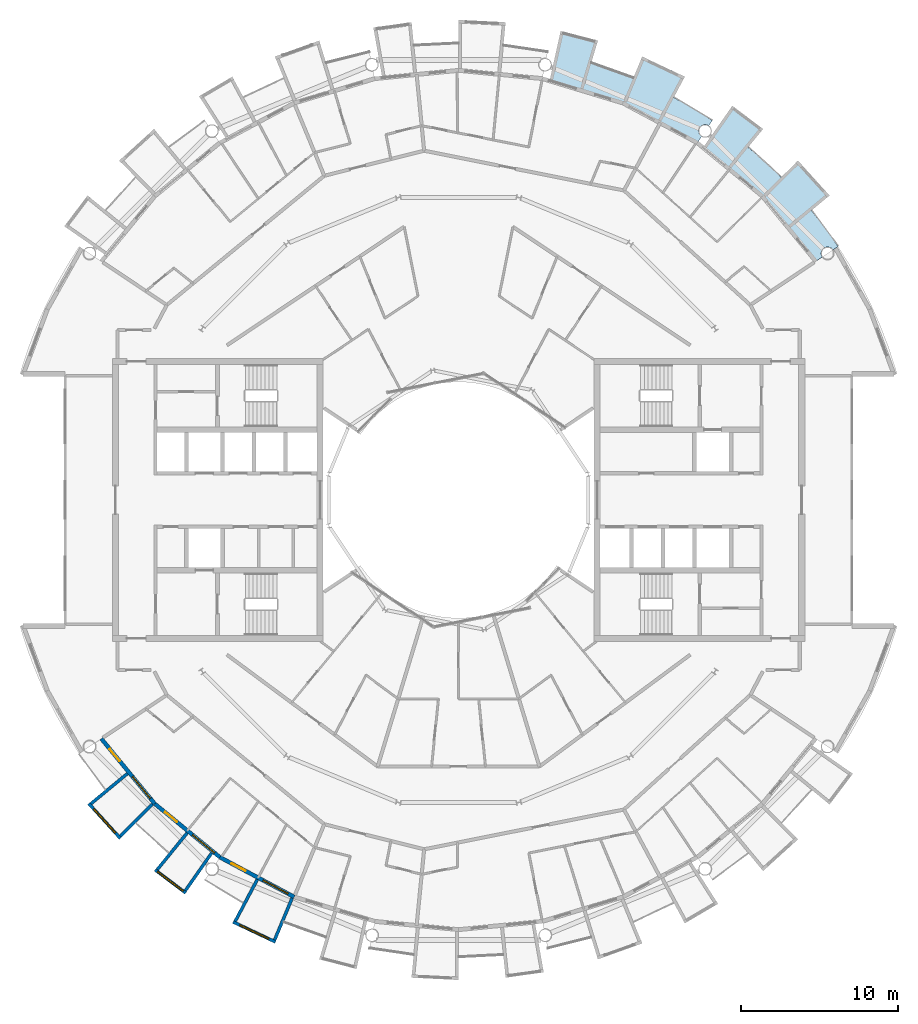
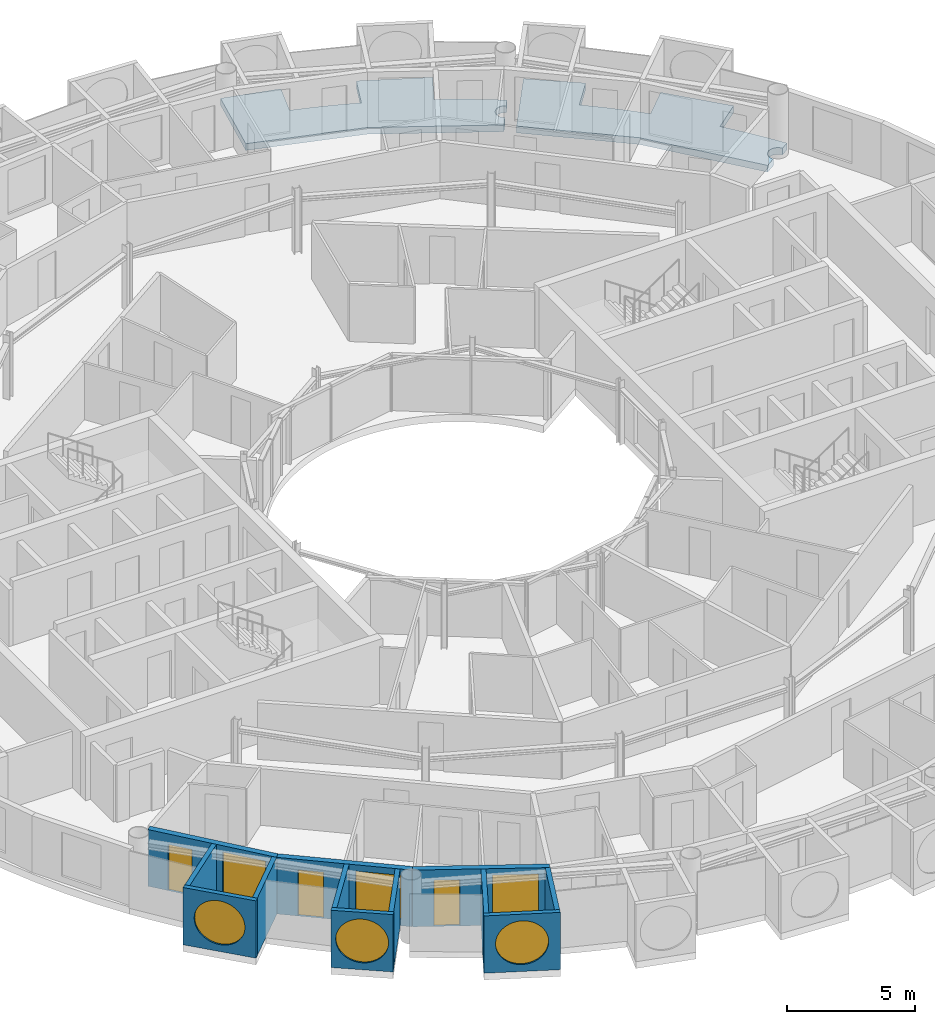
# One storey, part 14 of 28: 12 walls, 6 windows, 3 doors, 2 slabs, 9 openings.
"""IFC4 building model written with IfcOpenShell, lengths in metres."""

from ifc_helpers import new_model, si_unit, direction, frame, frame_2d, origin, place, context, subcontext, project, spatial, polyline, rectangle, circle, outline, extrude, material, layer, layer_set, type_object, element, fill, save


model = new_model("IFC4")

# Units and contexts
model_context = context("Model", 3, precision=1e-05, world=origin(), true_north=direction((0.0, 1.0)))
body_context = subcontext(model_context, "Body", "Model", "MODEL_VIEW")
ifc_project = project(units=[si_unit("LENGTHUNIT", "METRE"), si_unit("AREAUNIT", "SQUARE_METRE"), si_unit("VOLUMEUNIT", "CUBIC_METRE"), si_unit("PLANEANGLEUNIT", "RADIAN"), si_unit("MASSUNIT", "GRAM", prefix="KILO")], contexts=[model_context])

# Site, building, storey
site_placement = place(None, origin())
site = spatial("IfcSite", under=ifc_project, at=site_placement, CompositionType="ELEMENT")
building_placement = place(site_placement, origin())
building = spatial("IfcBuilding", under=site, at=building_placement, Name="Maasbend Ring Residences", CompositionType="ELEMENT")
storey_placement = place(building_placement, frame((0.0, 0.0, 227.949951171875)))
storey = spatial("IfcBuildingStorey", under=building, at=storey_placement, Name="L65", CompositionType="ELEMENT", Elevation=227.949951171875)

# Slabs
ifc_material_1 = material(Name="Concrete C40/50", Category="concrete")
ifc_layer_1 = layer(ifc_material_1, 0.199951171875)
ifc_layer_set_1 = layer_set([ifc_layer_1], Name="Concrete C40/50")
slab_type = type_object("IfcSlabType", Name="SL-LOGGIA", PredefinedType="FLOOR", material=ifc_layer_set_1)
slab_1_placement = place(storey_placement, frame((0.0, 0.0, -0.349853515625)))
element("IfcSlab", 1, at=slab_1_placement, inside=storey, type_object=slab_type, Name="Loggia floor 1", PredefinedType="FLOOR", context=body_context, shape_type="SweptSolid", body=[
    extrude(outline(polyline([(8.85400390625, 29.18701171875), (8.85400390625, 29.18701171875), (8.85400390625, 29.18701171875), (8.41796875, 27.751953125), (8.41796875, 27.751953125), (8.41796875, 27.751953125), (8.41796875, 27.751953125), (8.41796875, 27.751953125), (8.41796875, 27.751953125), (8.41796875, 27.7509765625), (8.41796875, 27.7509765625), (8.41796875, 27.7509765625), (8.41796875, 27.7509765625), (8.41796875, 27.7509765625), (8.4189453125, 27.7509765625), (8.4189453125, 27.7509765625), (8.4189453125, 27.7509765625), (8.4189453125, 27.7509765625), (8.4189453125, 27.7509765625), (8.4189453125, 27.7509765625), (9.322021484375, 27.4609375), (9.322021484375, 27.4609375), (10.215087890625, 27.14111328125), (10.215087890625, 27.14111328125), (11.096923828125, 26.79296875), (11.096923828125, 26.79296875), (11.096923828125, 26.79296875), (11.097900390625, 26.79296875), (11.097900390625, 26.79296875), (11.097900390625, 26.79296875), (11.097900390625, 26.79296875), (11.097900390625, 26.79296875), (11.097900390625, 26.79296875), (11.097900390625, 26.79296875), (11.097900390625, 26.79296875), (11.097900390625, 26.79296875), (11.097900390625, 26.79296875), (11.097900390625, 26.79296875), (11.097900390625, 26.79296875), (11.097900390625, 26.79296875), (11.097900390625, 26.79296875), (11.672119140625, 28.177978515625), (11.672119140625, 28.177978515625), (11.672119140625, 28.177978515625), (14.3779296875, 26.89892578125), (14.3779296875, 26.89892578125), (14.3779296875, 26.89892578125), (13.6708984375, 25.575927734375), (13.6708984375, 25.575927734375), (13.6708984375, 25.575927734375), (13.6708984375, 25.575927734375), (13.6708984375, 25.575927734375), (13.6708984375, 25.575927734375), (13.6708984375, 25.575927734375), (13.6708984375, 25.575927734375), (13.6708984375, 25.575927734375), (13.6708984375, 25.575927734375), (13.6708984375, 25.575927734375), (13.6708984375, 25.575927734375), (13.6708984375, 25.575927734375), (13.6708984375, 25.575927734375), (13.6708984375, 25.575927734375), (13.6708984375, 25.575927734375), (13.6708984375, 25.574951171875), (14.5, 25.114990234375), (14.5, 25.114990234375), (15.31396484375, 24.626953125), (15.31396484375, 24.626953125), (16.112060546875, 24.113037109375), (16.112060546875, 24.113037109375), (16.112060546875, 24.113037109375), (15.89306640625, 23.784912109375), (15.885009765625, 23.791015625), (15.8759765625, 23.7958984375), (15.866943359375, 23.801025390625), (15.85888671875, 23.805908203125), (15.85009765625, 23.81005859375), (15.841064453125, 23.81494140625), (15.83203125, 23.819091796875), (15.822998046875, 23.822998046875), (15.81298828125, 23.826904296875), (15.803955078125, 23.830078125), (15.794921875, 23.8330078125), (15.784912109375, 23.8359375), (15.77587890625, 23.839111328125), (15.76611328125, 23.842041015625), (15.756103515625, 23.843994140625), (15.74609375, 23.845947265625), (15.737060546875, 23.847900390625), (15.72705078125, 23.85009765625), (15.717041015625, 23.85107421875), (15.70703125, 23.85205078125), (15.697021484375, 23.85302734375), (15.68701171875, 23.85302734375), (15.677001953125, 23.85400390625), (15.6669921875, 23.85400390625), (15.656982421875, 23.85400390625), (15.64697265625, 23.85302734375), (15.636962890625, 23.85302734375), (15.626953125, 23.85205078125), (15.616943359375, 23.85107421875), (15.60693359375, 23.85009765625), (15.597900390625, 23.847900390625), (15.587890625, 23.845947265625), (15.577880859375, 23.843994140625), (15.568115234375, 23.842041015625), (15.55908203125, 23.839111328125), (15.549072265625, 23.8359375), (15.5400390625, 23.8330078125), (15.530029296875, 23.830078125), (15.52099609375, 23.826904296875), (15.511962890625, 23.822998046875), (15.501953125, 23.819091796875), (15.492919921875, 23.81494140625), (15.48388671875, 23.81005859375), (15.47509765625, 23.805908203125), (15.467041015625, 23.801025390625), (15.4580078125, 23.7958984375), (15.449951171875, 23.791015625), (15.44091796875, 23.784912109375), (15.43310546875, 23.780029296875), (15.425048828125, 23.77392578125), (15.4169921875, 23.76806640625), (15.408935546875, 23.761962890625), (15.402099609375, 23.7548828125), (15.39404296875, 23.7490234375), (15.386962890625, 23.741943359375), (15.3798828125, 23.735107421875), (15.373046875, 23.72802734375), (15.365966796875, 23.719970703125), (15.35888671875, 23.712890625), (15.35302734375, 23.705078125), (15.346923828125, 23.697021484375), (15.341064453125, 23.68994140625), (15.3349609375, 23.680908203125), (15.3291015625, 23.673095703125), (15.323974609375, 23.6650390625), (15.318115234375, 23.656005859375), (15.31298828125, 23.64794921875), (15.30908203125, 23.638916015625), (15.303955078125, 23.6298828125), (15.300048828125, 23.62109375), (15.294921875, 23.612060546875), (15.2919921875, 23.60302734375), (15.2880859375, 23.593994140625), (15.283935546875, 23.583984375), (15.281005859375, 23.574951171875), (15.278076171875, 23.56494140625), (15.27490234375, 23.555908203125), (15.27294921875, 23.5458984375), (15.27001953125, 23.535888671875), (15.26806640625, 23.527099609375), (15.26708984375, 23.51708984375), (15.264892578125, 23.507080078125), (15.263916015625, 23.4970703125), (15.262939453125, 23.487060546875), (15.261962890625, 23.47705078125), (15.260986328125, 23.467041015625), (15.260986328125, 23.45703125), (15.260986328125, 23.447021484375), (15.260986328125, 23.43701171875), (15.260986328125, 23.427001953125), (15.261962890625, 23.4169921875), (15.262939453125, 23.407958984375), (15.263916015625, 23.39794921875), (15.264892578125, 23.387939453125), (15.26708984375, 23.3779296875), (15.26806640625, 23.367919921875), (15.27001953125, 23.35791015625), (15.27294921875, 23.34912109375), (15.27490234375, 23.339111328125), (15.278076171875, 23.3291015625), (15.281005859375, 23.320068359375), (15.283935546875, 23.31005859375), (15.2880859375, 23.301025390625), (15.2919921875, 23.2919921875), (15.294921875, 23.282958984375), (15.300048828125, 23.27392578125), (15.303955078125, 23.264892578125), (15.30908203125, 23.256103515625), (15.31298828125, 23.2470703125), (15.318115234375, 23.238037109375), (15.323974609375, 23.22998046875), (15.3291015625, 23.221923828125), (15.3349609375, 23.212890625), (15.341064453125, 23.205078125), (15.346923828125, 23.197021484375), (15.35302734375, 23.18994140625), (15.35888671875, 23.181884765625), (15.365966796875, 23.174072265625), (15.373046875, 23.1669921875), (15.3798828125, 23.159912109375), (15.386962890625, 23.153076171875), (15.39404296875, 23.14599609375), (15.402099609375, 23.139892578125), (15.408935546875, 23.133056640625), (15.4169921875, 23.126953125), (15.425048828125, 23.12109375), (15.43310546875, 23.114990234375), (15.44091796875, 23.10888671875), (15.1669921875, 22.698974609375), (15.1669921875, 22.698974609375), (15.1669921875, 22.698974609375), (12.806884765625, 23.9609375), (10.447021484375, 25.221923828125), (10.447021484375, 25.221923828125), (10.447021484375, 25.221923828125), (7.886962890625, 25.9990234375), (5.797119140625, 26.633056640625), (5.797119140625, 26.633056640625), (5.797119140625, 26.633056640625), (6.487060546875, 29.802001953125), (6.487060546875, 29.802001953125), (6.487060546875, 29.802001953125), (8.85400390625, 29.18701171875)])), origin(), (0.0, 0.0, 1.0), 0.31982421875),
])
slab_2_placement = place(storey_placement, frame((0.0, 0.0, -0.349853515625)))
element("IfcSlab", 2, at=slab_2_placement, inside=storey, type_object=slab_type, Name="Loggia floor 4", PredefinedType="FLOOR", context=body_context, shape_type="SweptSolid", body=[
    extrude(outline(polyline([(19.34912109375, 23.576904296875), (19.34912109375, 23.576904296875), (19.34912109375, 23.576904296875), (18.39794921875, 22.41796875), (18.39794921875, 22.41796875), (18.39794921875, 22.41796875), (18.39794921875, 22.41796875), (18.39794921875, 22.41796875), (18.39794921875, 22.4169921875), (18.39794921875, 22.4169921875), (18.39794921875, 22.4169921875), (18.39794921875, 22.4169921875), (18.39794921875, 22.4169921875), (18.39794921875, 22.4169921875), (18.39794921875, 22.4169921875), (18.39794921875, 22.4169921875), (18.39794921875, 22.4169921875), (18.39794921875, 22.4169921875), (18.39794921875, 22.4169921875), (18.39794921875, 22.4169921875), (19.12109375, 21.802978515625), (19.12109375, 21.802978515625), (19.823974609375, 21.166015625), (19.823974609375, 21.166015625), (20.506103515625, 20.506103515625), (20.506103515625, 20.506103515625), (20.506103515625, 20.506103515625), (20.506103515625, 20.506103515625), (20.506103515625, 20.506103515625), (20.506103515625, 20.506103515625), (20.506103515625, 20.506103515625), (20.506103515625, 20.506103515625), (20.506103515625, 20.506103515625), (20.506103515625, 20.506103515625), (20.506103515625, 20.506103515625), (20.506103515625, 20.506103515625), (20.506103515625, 20.506103515625), (20.506103515625, 20.506103515625), (20.506103515625, 20.506103515625), (20.506103515625, 20.506103515625), (20.506103515625, 20.506103515625), (21.56689453125, 21.56689453125), (21.56689453125, 21.56689453125), (21.56689453125, 21.56689453125), (23.576904296875, 19.34912109375), (23.576904296875, 19.34912109375), (23.576904296875, 19.34912109375), (22.41796875, 18.39794921875), (22.41796875, 18.39794921875), (22.41796875, 18.39794921875), (22.41796875, 18.39794921875), (22.41796875, 18.39794921875), (22.41796875, 18.39794921875), (22.41796875, 18.39697265625), (22.41796875, 18.39697265625), (22.41796875, 18.39697265625), (22.41796875, 18.39697265625), (22.41796875, 18.39697265625), (22.41796875, 18.39697265625), (22.41796875, 18.39697265625), (22.41796875, 18.39697265625), (22.41796875, 18.39697265625), (22.41796875, 18.39697265625), (22.41796875, 18.39697265625), (23.007080078125, 17.654052734375), (23.007080078125, 17.654052734375), (23.572998046875, 16.89208984375), (23.572998046875, 16.89208984375), (24.113037109375, 16.112060546875), (24.113037109375, 16.112060546875), (24.113037109375, 16.112060546875), (23.784912109375, 15.89306640625), (23.784912109375, 15.89306640625), (23.780029296875, 15.90087890625), (23.77392578125, 15.908935546875), (23.76806640625, 15.9169921875), (23.761962890625, 15.925048828125), (23.7548828125, 15.93310546875), (23.7490234375, 15.93994140625), (23.741943359375, 15.947021484375), (23.735107421875, 15.955078125), (23.72802734375, 15.9619140625), (23.719970703125, 15.968017578125), (23.712890625, 15.97509765625), (23.705078125, 15.98095703125), (23.697021484375, 15.988037109375), (23.68994140625, 15.993896484375), (23.680908203125, 15.9990234375), (23.673095703125, 16.0048828125), (23.6650390625, 16.010986328125), (23.656005859375, 16.01611328125), (23.64794921875, 16.02099609375), (23.638916015625, 16.02587890625), (23.6298828125, 16.030029296875), (23.62109375, 16.034912109375), (23.612060546875, 16.0390625), (23.60302734375, 16.04296875), (23.593994140625, 16.0458984375), (23.583984375, 16.050048828125), (23.574951171875, 16.052978515625), (23.56494140625, 16.055908203125), (23.555908203125, 16.05908203125), (23.5458984375, 16.06103515625), (23.535888671875, 16.06396484375), (23.527099609375, 16.06591796875), (23.51708984375, 16.068115234375), (23.507080078125, 16.069091796875), (23.4970703125, 16.071044921875), (23.487060546875, 16.072021484375), (23.47705078125, 16.072021484375), (23.467041015625, 16.072998046875), (23.45703125, 16.072998046875), (23.447021484375, 16.073974609375), (23.43701171875, 16.072998046875), (23.427001953125, 16.072998046875), (23.4169921875, 16.072021484375), (23.407958984375, 16.072021484375), (23.39794921875, 16.071044921875), (23.387939453125, 16.069091796875), (23.3779296875, 16.068115234375), (23.367919921875, 16.06591796875), (23.35791015625, 16.06396484375), (23.34912109375, 16.06103515625), (23.339111328125, 16.05908203125), (23.3291015625, 16.055908203125), (23.320068359375, 16.052978515625), (23.31005859375, 16.050048828125), (23.301025390625, 16.0458984375), (23.2919921875, 16.04296875), (23.282958984375, 16.0390625), (23.27392578125, 16.034912109375), (23.264892578125, 16.030029296875), (23.256103515625, 16.02587890625), (23.2470703125, 16.02099609375), (23.238037109375, 16.01611328125), (23.22998046875, 16.010986328125), (23.221923828125, 16.0048828125), (23.212890625, 15.9990234375), (23.205078125, 15.993896484375), (23.197021484375, 15.988037109375), (23.18994140625, 15.98095703125), (23.181884765625, 15.97509765625), (23.174072265625, 15.968017578125), (23.1669921875, 15.9619140625), (23.159912109375, 15.955078125), (23.153076171875, 15.947021484375), (23.14599609375, 15.93994140625), (23.139892578125, 15.93310546875), (23.133056640625, 15.925048828125), (23.126953125, 15.9169921875), (23.12109375, 15.908935546875), (23.114990234375, 15.90087890625), (23.10888671875, 15.89306640625), (23.10400390625, 15.885009765625), (23.09912109375, 15.8759765625), (23.093994140625, 15.866943359375), (23.089111328125, 15.85888671875), (23.083984375, 15.85009765625), (23.080078125, 15.841064453125), (23.075927734375, 15.83203125), (23.072021484375, 15.822998046875), (23.068115234375, 15.81298828125), (23.06494140625, 15.803955078125), (23.06103515625, 15.794921875), (23.05810546875, 15.784912109375), (23.055908203125, 15.77587890625), (23.052978515625, 15.76611328125), (23.051025390625, 15.756103515625), (23.049072265625, 15.74609375), (23.047119140625, 15.737060546875), (23.044921875, 15.72705078125), (23.0439453125, 15.717041015625), (23.04296875, 15.70703125), (23.0419921875, 15.697021484375), (23.041015625, 15.68701171875), (23.041015625, 15.677001953125), (23.041015625, 15.6669921875), (23.041015625, 15.656982421875), (23.041015625, 15.64697265625), (23.0419921875, 15.636962890625), (23.04296875, 15.626953125), (23.0439453125, 15.616943359375), (23.044921875, 15.60693359375), (23.047119140625, 15.597900390625), (23.049072265625, 15.587890625), (23.051025390625, 15.577880859375), (23.052978515625, 15.568115234375), (23.055908203125, 15.55908203125), (23.05810546875, 15.549072265625), (23.06103515625, 15.5400390625), (23.06494140625, 15.530029296875), (23.068115234375, 15.52099609375), (23.072021484375, 15.511962890625), (23.075927734375, 15.501953125), (23.080078125, 15.492919921875), (23.083984375, 15.48388671875), (23.089111328125, 15.47509765625), (23.093994140625, 15.467041015625), (23.09912109375, 15.4580078125), (23.10400390625, 15.449951171875), (23.10888671875, 15.44091796875), (23.10888671875, 15.44091796875), (22.698974609375, 15.1669921875), (22.698974609375, 15.1669921875), (22.698974609375, 15.1669921875), (21.001953125, 17.236083984375), (19.303955078125, 19.303955078125), (19.303955078125, 19.303955078125), (19.303955078125, 19.303955078125), (17.236083984375, 21.001953125), (15.547119140625, 22.386962890625), (15.547119140625, 22.386962890625), (15.547119140625, 22.386962890625), (17.39794921875, 25.051025390625), (17.39794921875, 25.051025390625), (17.39794921875, 25.051025390625), (19.34912109375, 23.576904296875)])), origin(), (0.0, 0.0, 1.0), 0.31982421875),
])

# Wall, opening, window
ifc_material_2 = material(Name="Pale anodised aluminium panel", Category="aluminium")
ifc_layer_2 = layer(ifc_material_2, 0.199951171875)
ifc_layer_set_2 = layer_set([ifc_layer_2], Name="EW-BOX")
wall_type_1 = type_object("IfcWallType", Name="EW-BOX", PredefinedType="SOLIDWALL", material=ifc_layer_set_2)
wall_1_placement = place(storey_placement, frame((-23.5029296875, -19.281982421875, -0.030029296875), z_axis=(0.0, 0.0, 1.0), x_axis=(0.671506829416, -0.740998365753, 0.0)))
wall_1 = element("IfcWall", 3, at=wall_1_placement, inside=storey, type_object=wall_type_1, Name="Box front S02", PredefinedType="SOLIDWALL", context=body_context, shape_type="SweptSolid", body=[
    extrude(rectangle(XDim=2.9931640625, YDim=0.199951171875, at=frame_2d((1.49658203125, 0.0))), origin(), (0.0, 0.0, 1.0), 2.72998046875),
])
opening_1_placement = place(wall_1_placement, frame((0.45654296875, 0.0, 0.330078125)))
opening_1 = element("IfcOpeningElement", 4, at=opening_1_placement, cuts=wall_1, Name="Opening W-RD", PredefinedType="OPENING", context=body_context, shape_type="SweptSolid", body=[
    extrude(circle(Radius=1.0400390625, at=frame_2d((1.0400390625, 1.0400390625))), frame((0.0, 0.10986328125, 0.0), z_axis=(0.0, -1.0, 0.0), x_axis=(1.0, 0.0, 0.0)), (0.0, 0.0, 1.0), 0.219970703125),
])
ifc_material_3 = material(Name="Aluminium and clear glass", Category="aluminium")
window_type_1 = type_object("IfcWindowType", Name="W-RD", PartitioningType="SINGLE_PANEL", PredefinedType="WINDOW", material=ifc_material_3)
window_1_placement = place(opening_1_placement, origin())
window_1 = element("IfcWindow", 5, at=window_1_placement, inside=storey, type_object=window_type_1, Name="Round window S02", OverallHeight=2.080078125, OverallWidth=2.080078125, PartitioningType="SINGLE_PANEL", PredefinedType="WINDOW", context=body_context, shape_type="SweptSolid", body=[
    extrude(circle(Radius=1.0400390625, at=frame_2d((1.0400390625, 1.0400390625))), frame((0.0, 0.030029296875, 0.0), z_axis=(0.0, -1.0, 0.0), x_axis=(1.0, 0.0, 0.0)), (0.0, 0.0, 1.0), 0.06005859375),
])
fill(opening_1, window_1)

# Walls
wall_2_placement = place(storey_placement, frame((-21.041015625, -17.384033203125, -0.030029296875), z_axis=(0.0, 0.0, 1.0), x_axis=(-0.770784861449, -0.63709551667, 0.0)))
element("IfcWall", 6, at=wall_2_placement, inside=storey, type_object=wall_type_1, Name="Box side wall S02 left", PredefinedType="SOLIDWALL", context=body_context, shape_type="SweptSolid", body=[
    extrude(rectangle(XDim=3.005859375, YDim=0.199951171875, at=frame_2d((1.5029296875, 0.0))), origin(), (0.0, 0.0, 1.0), 2.72998046875),
])
wall_3_placement = place(storey_placement, frame((-19.449951171875, -19.322998046875, -0.030029296875), z_axis=(0.0, 0.0, 1.0), x_axis=(-0.709727076896, -0.704476739375, 0.0)))
element("IfcWall", 7, at=wall_3_placement, inside=storey, type_object=wall_type_1, Name="Box side wall S02 right", PredefinedType="SOLIDWALL", context=body_context, shape_type="SweptSolid", body=[
    extrude(rectangle(XDim=2.883056640625, YDim=0.199951171875, at=frame_2d((1.44140625, 0.0))), origin(), (0.0, 0.0, 1.0), 2.72998046875),
])

# Wall, opening, window
wall_4_placement = place(storey_placement, frame((-19.2890625, -23.4970703125, -0.030029296875), z_axis=(0.0, 0.0, 1.0), x_axis=(0.797887588059, -0.602806268067, 0.0)))
wall_4 = element("IfcWall", 8, at=wall_4_placement, inside=storey, type_object=wall_type_1, Name="Box front S04", PredefinedType="SOLIDWALL", context=body_context, shape_type="SweptSolid", body=[
    extrude(rectangle(XDim=2.446533203125, YDim=0.199951171875, at=frame_2d((1.22314453125, 0.0))), origin(), (0.0, 0.0, 1.0), 2.72998046875),
])
opening_2_placement = place(wall_4_placement, frame((0.182861328125, 0.0, 0.330078125)))
opening_2 = element("IfcOpeningElement", 9, at=opening_2_placement, cuts=wall_4, Name="Opening W-RD", PredefinedType="OPENING", context=body_context, shape_type="SweptSolid", body=[
    extrude(circle(Radius=1.0400390625, at=frame_2d((1.0400390625, 1.0400390625))), frame((0.0, 0.10986328125, 0.0), z_axis=(0.0, -1.0, 0.0), x_axis=(1.0, 0.0, 0.0)), (0.0, 0.0, 1.0), 0.219970703125),
])
window_2_placement = place(opening_2_placement, origin())
window_2 = element("IfcWindow", 10, at=window_2_placement, inside=storey, type_object=window_type_1, Name="Round window S04", OverallHeight=2.080078125, OverallWidth=2.080078125, PartitioningType="SINGLE_PANEL", PredefinedType="WINDOW", context=body_context, shape_type="SweptSolid", body=[
    extrude(circle(Radius=1.0400390625, at=frame_2d((1.0400390625, 1.0400390625))), frame((0.0, 0.030029296875, 0.0), z_axis=(0.0, -1.0, 0.0), x_axis=(1.0, 0.0, 0.0)), (0.0, 0.0, 1.0), 0.06005859375),
])
fill(opening_2, window_2)

# Walls
wall_5_placement = place(storey_placement, frame((-17.24609375, -21.155029296875, -0.030029296875), z_axis=(0.0, 0.0, 1.0), x_axis=(-0.631741648902, -0.775179004516, 0.0)))
element("IfcWall", 11, at=wall_5_placement, inside=storey, type_object=wall_type_1, Name="Box side wall S04 left", PredefinedType="SOLIDWALL", context=body_context, shape_type="SweptSolid", body=[
    extrude(rectangle(XDim=3.005859375, YDim=0.199951171875, at=frame_2d((1.5029296875, 0.0))), origin(), (0.0, 0.0, 1.0), 2.72998046875),
])
wall_6_placement = place(storey_placement, frame((-15.68798828125, -22.43310546875, -0.030029296875), z_axis=(0.0, 0.0, 1.0), x_axis=(-0.573260687834, -0.819373043115, 0.0)))
element("IfcWall", 12, at=wall_6_placement, inside=storey, type_object=wall_type_1, Name="Box side wall S04 right", PredefinedType="SOLIDWALL", context=body_context, shape_type="SweptSolid", body=[
    extrude(rectangle(XDim=2.92529296875, YDim=0.199951171875, at=frame_2d((1.462646484375, 0.0))), origin(), (0.0, 0.0, 1.0), 2.72998046875),
])

# Wall, opening, window
wall_7_placement = place(storey_placement, frame((-14.3349609375, -26.80810546875, -0.030029296875), z_axis=(0.0, 0.0, 1.0), x_axis=(0.904000060331, -0.427532327342, 0.0)))
wall_7 = element("IfcWall", 13, at=wall_7_placement, inside=storey, type_object=wall_type_1, Name="Box front S06", PredefinedType="SOLIDWALL", context=body_context, shape_type="SweptSolid", body=[
    extrude(rectangle(XDim=2.993408203125, YDim=0.199951171875, at=frame_2d((1.49658203125, 0.0))), origin(), (0.0, 0.0, 1.0), 2.72998046875),
])
opening_3_placement = place(wall_7_placement, frame((0.45654296875, 0.0, 0.330078125)))
opening_3 = element("IfcOpeningElement", 14, at=opening_3_placement, cuts=wall_7, Name="Opening W-RD", PredefinedType="OPENING", context=body_context, shape_type="SweptSolid", body=[
    extrude(circle(Radius=1.0400390625, at=frame_2d((1.0400390625, 1.0400390625))), frame((0.0, 0.10986328125, 0.0), z_axis=(0.0, -1.0, 0.0), x_axis=(1.0, 0.0, 0.0)), (0.0, 0.0, 1.0), 0.219970703125),
])
window_3_placement = place(opening_3_placement, origin())
window_3 = element("IfcWindow", 15, at=window_3_placement, inside=storey, type_object=window_type_1, Name="Round window S06", OverallHeight=2.080078125, OverallWidth=2.080078125, PartitioningType="SINGLE_PANEL", PredefinedType="WINDOW", context=body_context, shape_type="SweptSolid", body=[
    extrude(circle(Radius=1.0400390625, at=frame_2d((1.0400390625, 1.0400390625))), frame((0.0, 0.030029296875, 0.0), z_axis=(0.0, -1.0, 0.0), x_axis=(1.0, 0.0, 0.0)), (0.0, 0.0, 1.0), 0.06005859375),
])
fill(opening_3, window_3)

# Walls
wall_8_placement = place(storey_placement, frame((-12.787109375, -24.113037109375, -0.030029296875), z_axis=(0.0, 0.0, 1.0), x_axis=(-0.468365282436, -0.883534924159, 0.0)))
element("IfcWall", 16, at=wall_8_placement, inside=storey, type_object=wall_type_1, Name="Box side wall S06 left", PredefinedType="SOLIDWALL", context=body_context, shape_type="SweptSolid", body=[
    extrude(rectangle(XDim=3.006103515625, YDim=0.199951171875, at=frame_2d((1.5029296875, 0.0))), origin(), (0.0, 0.0, 1.0), 2.72998046875),
])
wall_9_placement = place(storey_placement, frame((-10.574951171875, -25.294921875, -0.030029296875), z_axis=(0.0, 0.0, 1.0), x_axis=(-0.385697364644, -0.922625353492, 0.0)))
element("IfcWall", 17, at=wall_9_placement, inside=storey, type_object=wall_type_1, Name="Box side wall S06 right", PredefinedType="SOLIDWALL", context=body_context, shape_type="SweptSolid", body=[
    extrude(rectangle(XDim=2.88330078125, YDim=0.199951171875, at=frame_2d((1.441650390625, 0.0))), origin(), (0.0, 0.0, 1.0), 2.72998046875),
])

# Wall, openings, door, window
ifc_material_4 = material(Name="Aluminium clad insulated panel", Category="aluminium")
ifc_layer_3 = layer(ifc_material_4, 0.25)
ifc_layer_set_3 = layer_set([ifc_layer_3], Name="EW-GL")
wall_type_2 = type_object("IfcWallType", Name="EW-GL", PredefinedType="SOLIDWALL", material=ifc_layer_set_3)
wall_10_placement = place(storey_placement, frame((-22.698974609375, -15.1669921875, 0.0), z_axis=(0.0, 0.0, 1.0), x_axis=(0.634382322723, -0.773019449054, 0.0)))
wall_10 = element("IfcWall", 18, at=wall_10_placement, inside=storey, type_object=wall_type_2, Name="External wall S01", PredefinedType="SOLIDWALL", context=body_context, shape_type="SweptSolid", body=[
    extrude(rectangle(XDim=5.351806640625, YDim=0.25, at=frame_2d((2.67578125, 0.0))), origin(), (0.0, 0.0, 1.0), 2.699951171875),
])
opening_4_placement = place(wall_10_placement, frame((0.841064453125, 0.0, 0.0)))
opening_4 = element("IfcOpeningElement", 19, at=opening_4_placement, cuts=wall_10, Name="Opening D-LG", PredefinedType="OPENING", context=body_context, shape_type="SweptSolid", body=[
    extrude(rectangle(XDim=1.0, YDim=2.199951171875, at=frame_2d((0.5, 1.10009765625))), frame((0.0, 0.135009765625, 0.0), z_axis=(0.0, -1.0, 0.0), x_axis=(1.0, 0.0, 0.0)), (0.0, 0.0, 1.0), 0.27001953125),
])
opening_5_placement = place(wall_10_placement, frame((3.110595703125, 0.0, 0.300048828125)))
opening_5 = element("IfcOpeningElement", 20, at=opening_5_placement, cuts=wall_10, Name="Opening W-BX", PredefinedType="OPENING", context=body_context, shape_type="SweptSolid", body=[
    extrude(rectangle(XDim=1.800048828125, YDim=2.10009765625, at=frame_2d((0.89990234375, 1.050048828125))), frame((0.0, 0.135009765625, 0.0), z_axis=(0.0, -1.0, 0.0), x_axis=(1.0, 0.0, 0.0)), (0.0, 0.0, 1.0), 0.27001953125),
])
ifc_material_5 = material(Name="Aluminium and clear glass", Category="aluminium")
door_type = type_object("IfcDoorType", Name="D-LG", OperationType="SINGLE_SWING_LEFT", PredefinedType="DOOR", material=ifc_material_5)
door_1_placement = place(opening_4_placement, origin())
door_1 = element("IfcDoor", 21, at=door_1_placement, inside=storey, type_object=door_type, Name="Loggia door S01", OperationType="SINGLE_SWING_LEFT", OverallHeight=2.199951171875, OverallWidth=1.0, PredefinedType="DOOR", context=body_context, shape_type="SweptSolid", body=[
    extrude(rectangle(XDim=1.0, YDim=2.199951171875, at=frame_2d((0.5, 1.10009765625))), frame((0.0, 0.02490234375, 0.0), z_axis=(0.0, -1.0, 0.0), x_axis=(1.0, 0.0, 0.0)), (0.0, 0.0, 1.0), 0.050048828125),
])
fill(opening_4, door_1)
ifc_material_6 = material(Name="Aluminium and clear glass", Category="aluminium")
window_type_2 = type_object("IfcWindowType", Name="W-BX", PartitioningType="DOUBLE_PANEL_VERTICAL", PredefinedType="WINDOW", material=ifc_material_6)
window_4_placement = place(opening_5_placement, origin())
window_4 = element("IfcWindow", 22, at=window_4_placement, inside=storey, type_object=window_type_2, Name="Window S02 room to box", OverallHeight=2.10009765625, OverallWidth=1.800048828125, PartitioningType="SINGLE_PANEL", PredefinedType="WINDOW", context=body_context, shape_type="SweptSolid", body=[
    extrude(rectangle(XDim=1.800048828125, YDim=2.10009765625, at=frame_2d((0.89990234375, 1.050048828125))), frame((0.0, 0.030029296875, 0.0), z_axis=(0.0, -1.0, 0.0), x_axis=(1.0, 0.0, 0.0)), (0.0, 0.0, 1.0), 0.06005859375),
])
fill(opening_5, window_4)

wall_11_placement = place(storey_placement, frame((-19.303955078125, -19.303955078125, 0.0), z_axis=(0.0, 0.0, 1.0), x_axis=(0.773019449054, -0.634382322723, 0.0)))
wall_11 = element("IfcWall", 23, at=wall_11_placement, inside=storey, type_object=wall_type_2, Name="External wall S02", PredefinedType="SOLIDWALL", context=body_context, shape_type="SweptSolid", body=[
    extrude(rectangle(XDim=5.351806640625, YDim=0.25, at=frame_2d((2.67578125, 0.0))), origin(), (0.0, 0.0, 1.0), 2.699951171875),
])
opening_6_placement = place(wall_11_placement, frame((0.841064453125, 0.0, 0.0)))
opening_6 = element("IfcOpeningElement", 24, at=opening_6_placement, cuts=wall_11, Name="Opening D-LG", PredefinedType="OPENING", context=body_context, shape_type="SweptSolid", body=[
    extrude(rectangle(XDim=1.0, YDim=2.199951171875, at=frame_2d((0.5, 1.10009765625))), frame((0.0, 0.135009765625, 0.0), z_axis=(0.0, -1.0, 0.0), x_axis=(1.0, 0.0, 0.0)), (0.0, 0.0, 1.0), 0.27001953125),
])
opening_7_placement = place(wall_11_placement, frame((3.110595703125, 0.0, 0.300048828125)))
opening_7 = element("IfcOpeningElement", 25, at=opening_7_placement, cuts=wall_11, Name="Opening W-BX", PredefinedType="OPENING", context=body_context, shape_type="SweptSolid", body=[
    extrude(rectangle(XDim=1.800048828125, YDim=2.10009765625, at=frame_2d((0.89990234375, 1.050048828125))), frame((0.0, 0.135009765625, 0.0), z_axis=(0.0, -1.0, 0.0), x_axis=(1.0, 0.0, 0.0)), (0.0, 0.0, 1.0), 0.27001953125),
])
door_2_placement = place(opening_6_placement, origin())
door_2 = element("IfcDoor", 26, at=door_2_placement, inside=storey, type_object=door_type, Name="Loggia door S03", OperationType="SINGLE_SWING_LEFT", OverallHeight=2.199951171875, OverallWidth=1.0, PredefinedType="DOOR", context=body_context, shape_type="SweptSolid", body=[
    extrude(rectangle(XDim=1.0, YDim=2.199951171875, at=frame_2d((0.5, 1.10009765625))), frame((0.0, 0.02490234375, 0.0), z_axis=(0.0, -1.0, 0.0), x_axis=(1.0, 0.0, 0.0)), (0.0, 0.0, 1.0), 0.050048828125),
])
fill(opening_6, door_2)
window_5_placement = place(opening_7_placement, origin())
window_5 = element("IfcWindow", 27, at=window_5_placement, inside=storey, type_object=window_type_2, Name="Window S04 room to box", OverallHeight=2.10009765625, OverallWidth=1.800048828125, PartitioningType="SINGLE_PANEL", PredefinedType="WINDOW", context=body_context, shape_type="SweptSolid", body=[
    extrude(rectangle(XDim=1.800048828125, YDim=2.10009765625, at=frame_2d((0.89990234375, 1.050048828125))), frame((0.0, 0.030029296875, 0.0), z_axis=(0.0, -1.0, 0.0), x_axis=(1.0, 0.0, 0.0)), (0.0, 0.0, 1.0), 0.06005859375),
])
fill(opening_7, window_5)

wall_12_placement = place(storey_placement, frame((-15.1669921875, -22.698974609375, 0.0), z_axis=(0.0, 0.0, 1.0), x_axis=(0.881915646801, -0.471407246368, 0.0)))
wall_12 = element("IfcWall", 28, at=wall_12_placement, inside=storey, type_object=wall_type_2, Name="External wall S03", PredefinedType="SOLIDWALL", context=body_context, shape_type="SweptSolid", body=[
    extrude(rectangle(XDim=5.35205078125, YDim=0.25, at=frame_2d((2.676025390625, 0.0))), origin(), (0.0, 0.0, 1.0), 2.699951171875),
])
opening_8_placement = place(wall_12_placement, frame((0.841064453125, 0.0, 0.0)))
opening_8 = element("IfcOpeningElement", 29, at=opening_8_placement, cuts=wall_12, Name="Opening D-LG", PredefinedType="OPENING", context=body_context, shape_type="SweptSolid", body=[
    extrude(rectangle(XDim=1.0, YDim=2.199951171875, at=frame_2d((0.5, 1.10009765625))), frame((0.0, 0.135009765625, 0.0), z_axis=(0.0, -1.0, 0.0), x_axis=(1.0, 0.0, 0.0)), (0.0, 0.0, 1.0), 0.27001953125),
])
opening_9_placement = place(wall_12_placement, frame((3.110595703125, 0.0, 0.300048828125)))
opening_9 = element("IfcOpeningElement", 30, at=opening_9_placement, cuts=wall_12, Name="Opening W-BX", PredefinedType="OPENING", context=body_context, shape_type="SweptSolid", body=[
    extrude(rectangle(XDim=1.800048828125, YDim=2.10009765625, at=frame_2d((0.89990234375, 1.050048828125))), frame((0.0, 0.135009765625, 0.0), z_axis=(0.0, -1.0, 0.0), x_axis=(1.0, 0.0, 0.0)), (0.0, 0.0, 1.0), 0.27001953125),
])
door_3_placement = place(opening_8_placement, origin())
door_3 = element("IfcDoor", 31, at=door_3_placement, inside=storey, type_object=door_type, Name="Loggia door S05", OperationType="SINGLE_SWING_LEFT", OverallHeight=2.199951171875, OverallWidth=1.0, PredefinedType="DOOR", context=body_context, shape_type="SweptSolid", body=[
    extrude(rectangle(XDim=1.0, YDim=2.199951171875, at=frame_2d((0.5, 1.10009765625))), frame((0.0, 0.02490234375, 0.0), z_axis=(0.0, -1.0, 0.0), x_axis=(1.0, 0.0, 0.0)), (0.0, 0.0, 1.0), 0.050048828125),
])
fill(opening_8, door_3)
window_6_placement = place(opening_9_placement, origin())
window_6 = element("IfcWindow", 32, at=window_6_placement, inside=storey, type_object=window_type_2, Name="Window S06 room to box", OverallHeight=2.10009765625, OverallWidth=1.800048828125, PartitioningType="SINGLE_PANEL", PredefinedType="WINDOW", context=body_context, shape_type="SweptSolid", body=[
    extrude(rectangle(XDim=1.800048828125, YDim=2.10009765625, at=frame_2d((0.89990234375, 1.050048828125))), frame((0.0, 0.030029296875, 0.0), z_axis=(0.0, -1.0, 0.0), x_axis=(1.0, 0.0, 0.0)), (0.0, 0.0, 1.0), 0.06005859375),
])
fill(opening_9, window_6)

save(model, "model.ifc")
